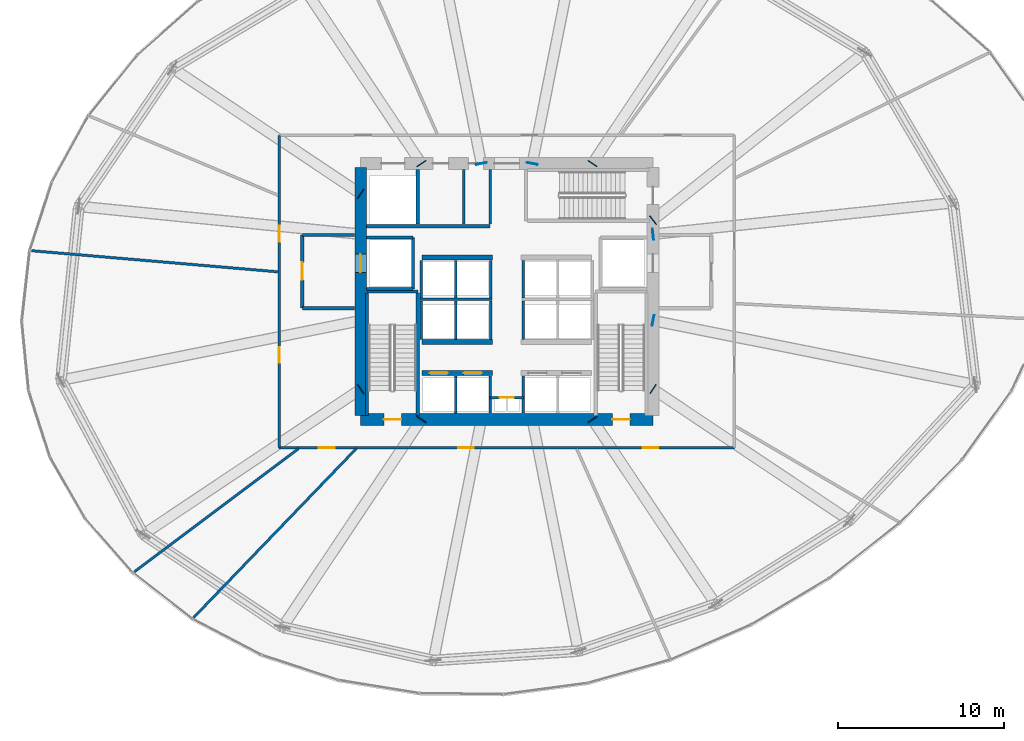
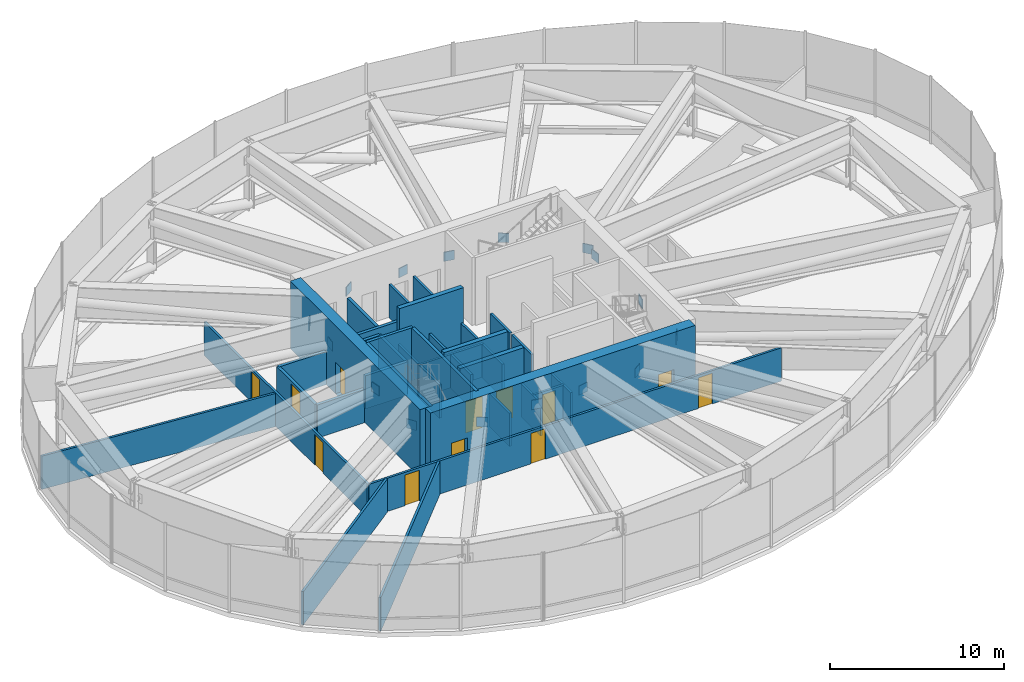
# One storey, part 30 of 33: 36 walls, 16 plates, 12 doors, 12 openings.
"""IFC4 building model written with IfcOpenShell, lengths in metres."""

import ifcopenshell
import ifcopenshell.guid

model = None  # the IFC model being written
_history = None  # IfcOwnerHistory: only IFC2X3 demands one
_inside = {}  # id of a spatial element -> (the spatial element, [elements in it])
_under = {}  # id of a project, library or spatial element -> (it, [spatial elements below it])
_declared = {}  # id of a project -> (the project, [libraries it declares])
_typed = {}  # id of a type object -> (the type object, [elements of that type])
_made_of = {}  # id of a material, layer set ... -> (it, [elements and type objects made of it])


def new_model(schema):
    """Start an empty IFC model of exactly this schema.

    Asked for "IFC4X3", IfcOpenShell would pick the latest addendum, in which some entities
    have other attributes; the version numbers below select the first issue.
    IFC2X3 requires an IfcOwnerHistory on every rooted entity: one is made here for all.
    """
    global model, _history
    if schema == "IFC4X3":
        model = ifcopenshell.file(schema_version=(4, 3, 0, 0))
    else:
        model = ifcopenshell.file(schema=schema)
    _inside.clear()
    _under.clear()
    _declared.clear()
    _typed.clear()
    _made_of.clear()
    _history = None
    if model.schema == "IFC2X3":
        org = make("IfcOrganization", Name="unknown")
        user = make(
            "IfcPersonAndOrganization",
            ThePerson=make("IfcPerson", FamilyName="unknown"),
            TheOrganization=org,
        )
        app = make(
            "IfcApplication",
            ApplicationDeveloper=org,
            Version="unknown",
            ApplicationFullName="unknown",
            ApplicationIdentifier="unknown",
        )
        _history = make(
            "IfcOwnerHistory",
            OwningUser=user,
            OwningApplication=app,
            ChangeAction="ADDED",
            CreationDate=0,
        )
    return model


def make(cls, **values):
    """One entity of the class cls with the attributes given. An attribute that is None is left unset."""
    return model.create_entity(
        cls, **{name: value for name, value in values.items() if value is not None}
    )


def rooted(cls, **values):
    """An entity with a GlobalId (a new one), such as an element, a storey or a relation."""
    return make(cls, GlobalId=ifcopenshell.guid.new(), OwnerHistory=_history, **values)


def si_unit(unit_type, name, prefix=None):
    """IfcSIUnit, for example si_unit("LENGTHUNIT", "METRE", prefix="MILLI")."""
    return make("IfcSIUnit", UnitType=unit_type, Prefix=prefix, Name=name)


def assignment(units):
    """IfcUnitAssignment: the units of a project."""
    return None if units is None else make("IfcUnitAssignment", Units=units)


def point(xyz):
    """IfcCartesianPoint."""
    return None if xyz is None else make("IfcCartesianPoint", Coordinates=xyz)


def direction(xyz):
    """IfcDirection."""
    return None if xyz is None else make("IfcDirection", DirectionRatios=xyz)


def frame(location, z_axis=None, x_axis=None):
    """IfcAxis2Placement3D, a coordinate frame: its origin and axes. An axis left out is left unset."""
    return make(
        "IfcAxis2Placement3D",
        Location=point(location),
        Axis=direction(z_axis),
        RefDirection=direction(x_axis),
    )


def frame_2d(location, x_axis=None):
    """IfcAxis2Placement2D, a coordinate frame in the plane: its origin and x axis."""
    return make(
        "IfcAxis2Placement2D", Location=point(location), RefDirection=direction(x_axis)
    )


def origin():
    """The frame at (0, 0, 0) with its axes left unset."""
    return frame((0.0, 0.0, 0.0))


def origin_2d():
    """The frame at (0, 0) in the plane with its x axis left unset."""
    return frame_2d((0.0, 0.0))


def place(relative_to, where):
    """IfcLocalPlacement: puts the frame where relative to a parent placement (None: the world)."""
    return make(
        "IfcLocalPlacement", PlacementRelTo=relative_to, RelativePlacement=where
    )


def context(
    kind, dimensions, precision=None, world=None, true_north=None, identifier=None
):
    """IfcGeometricRepresentationContext, for example the 3D "Model" context."""
    return make(
        "IfcGeometricRepresentationContext",
        ContextIdentifier=identifier,
        ContextType=kind,
        CoordinateSpaceDimension=dimensions,
        Precision=precision,
        WorldCoordinateSystem=world,
        TrueNorth=true_north,
    )


def subcontext(parent, identifier, kind, view, scale=None):
    """IfcGeometricRepresentationSubContext, for example "Body" below "Model"."""
    return make(
        "IfcGeometricRepresentationSubContext",
        ContextIdentifier=identifier,
        ContextType=kind,
        ParentContext=parent,
        TargetScale=scale,
        TargetView=view,
    )


def project(units=None, contexts=None):
    """IfcProject with its units and contexts."""
    return rooted(
        "IfcProject",
        Name="project",
        RepresentationContexts=contexts,
        UnitsInContext=assignment(units),
    )


def spatial(cls, under=None, at=None, **own):
    """A site, building, storey or space (cls), placed at a placement, below another one or the project."""
    s = rooted(cls, ObjectPlacement=at, **own)
    if under is not None:
        _under.setdefault(under.id(), (under, []))[1].append(s)
    return s


def profile(cls, at=None, kind="AREA", **sizes):
    """A parametric profile (cls). Its sizes go by their IFC names, for example OverallWidth=200.0."""
    return make(cls, ProfileType=kind, Position=at, **sizes)


def rectangle(**sizes):
    """IfcRectangleProfileDef."""
    return profile("IfcRectangleProfileDef", **sizes)


def extrude(swept, where, along, depth):
    """IfcExtrudedAreaSolid: the profile swept, set in the frame where, extruded along a direction by depth."""
    return make(
        "IfcExtrudedAreaSolid",
        SweptArea=swept,
        Position=where,
        ExtrudedDirection=direction(along),
        Depth=depth,
    )


def shape(context_of_items, identifier, shape_type, items):
    """IfcShapeRepresentation: the items that make up one representation, for example the "Body"."""
    return make(
        "IfcShapeRepresentation",
        ContextOfItems=context_of_items,
        RepresentationIdentifier=identifier,
        RepresentationType=shape_type,
        Items=items,
    )


def source(mapping_origin, context_of_items, identifier, shape_type, items):
    """IfcRepresentationMap: a shape defined once, which mapped items show again and again."""
    return make(
        "IfcRepresentationMap",
        MappingOrigin=mapping_origin,
        MappedRepresentation=shape(context_of_items, identifier, shape_type, items),
    )


def transform(
    local_origin,
    x_axis=None,
    y_axis=None,
    z_axis=None,
    scale=None,
    scale2=None,
    scale3=None,
    uniform=True,
):
    """IfcCartesianTransformationOperator3D, or its non-uniform kind. x_axis, y_axis, z_axis: its Axis1, 2, 3."""
    if uniform:
        return make(
            "IfcCartesianTransformationOperator3D",
            Axis1=direction(x_axis),
            Axis2=direction(y_axis),
            LocalOrigin=point(local_origin),
            Scale=scale,
            Axis3=direction(z_axis),
        )
    return make(
        "IfcCartesianTransformationOperator3DnonUniform",
        Axis1=direction(x_axis),
        Axis2=direction(y_axis),
        LocalOrigin=point(local_origin),
        Scale=scale,
        Axis3=direction(z_axis),
        Scale2=scale2,
        Scale3=scale3,
    )


def mapped(mapping_source, mapping_target):
    """IfcMappedItem: shows the shape of a source again, moved by a transform."""
    return make(
        "IfcMappedItem", MappingSource=mapping_source, MappingTarget=mapping_target
    )


def material(Name=None, Category=None):
    """IfcMaterial."""
    return make("IfcMaterial", Name=Name, Category=Category)


def layer(
    of_material, thickness, ventilated=None, Name=None, Category=None, Priority=None
):
    """IfcMaterialLayer: one layer of a wall or slab, of a material (None: an air gap)."""
    return make(
        "IfcMaterialLayer",
        Material=of_material,
        LayerThickness=thickness,
        IsVentilated=ventilated,
        Name=Name,
        Category=Category,
        Priority=Priority,
    )


def layer_set(layers, Name=None):
    """IfcMaterialLayerSet."""
    return make("IfcMaterialLayerSet", MaterialLayers=layers, LayerSetName=Name)


def made_of(thing, what):
    """Note that an element or type object is made of a material, layer set ...; save() writes the relation."""
    if what is not None:
        _made_of.setdefault(what.id(), (what, []))[1].append(thing)
    return thing


def type_object(cls, material=None, **own):
    """A type object (cls), such as IfcWallType, which elements share."""
    return made_of(rooted(cls, **own), material)


def element(
    cls,
    number,
    at=None,
    inside=None,
    cuts=None,
    type_object=None,
    material=None,
    context=None,
    identifier="Body",
    shape_type=None,
    held_by="IfcProductDefinitionShape",
    body=None,
    shapes=None,
    **own,
):
    """One element of the class cls, such as IfcWall. Its Tag is "e" and its number.

    at: its placement. inside: the storey or other place that contains it. cuts: it is an
    opening in that element (IfcRelVoidsElement). A single representation is given by context,
    identifier, shape_type and body (its items); several are given by shapes. held_by: the class
    of the entity that holds the representations. save() writes the other relations.
    """
    e = rooted(cls, Tag="e%d" % number, ObjectPlacement=at, **own)
    if body is not None:
        shapes = [shape(context, identifier, shape_type, body)]
    if shapes is not None:
        e.Representation = make(held_by, Representations=shapes)
    if inside is not None:
        _inside.setdefault(inside.id(), (inside, []))[1].append(e)
    if cuts is not None:
        rooted(
            "IfcRelVoidsElement", RelatingBuildingElement=cuts, RelatedOpeningElement=e
        )
    if type_object is not None:
        _typed.setdefault(type_object.id(), (type_object, []))[1].append(e)
    return made_of(e, material)


def fill(opening, filler):
    """IfcRelFillsElement: the door or window that sits in an opening."""
    return rooted(
        "IfcRelFillsElement",
        RelatingOpeningElement=opening,
        RelatedBuildingElement=filler,
    )


def aggregate(whole, parts):
    """IfcRelAggregates: a whole, such as a stair, and the parts it consists of."""
    return rooted("IfcRelAggregates", RelatingObject=whole, RelatedObjects=parts)


def save(model, path):
    """Write the relations noted so far, then the file.

    IfcRelAggregates (storeys below a building ...), IfcRelContainedInSpatialStructure (elements
    in a storey), IfcRelDefinesByType, IfcRelAssociatesMaterial and IfcRelDeclares: one each for
    every whole, place, type object, material and project.
    """
    for whole, parts in _under.values():
        aggregate(whole, parts)
    for where, things in _inside.values():
        rooted(
            "IfcRelContainedInSpatialStructure",
            RelatedElements=things,
            RelatingStructure=where,
        )
    for kind, things in _typed.values():
        rooted("IfcRelDefinesByType", RelatedObjects=things, RelatingType=kind)
    for what, things in _made_of.values():
        rooted("IfcRelAssociatesMaterial", RelatedObjects=things, RelatingMaterial=what)
    for by, libraries in _declared.values():
        rooted("IfcRelDeclares", RelatingContext=by, RelatedDefinitions=libraries)
    model.write(path)


model = new_model("IFC4")

# Units and contexts
model_context = context("Model", 3, precision=1e-05, world=origin(), true_north=direction((0.0, 1.0)))
body_context = subcontext(model_context, "Body", "Model", "MODEL_VIEW")
ifc_project = project(units=[si_unit("LENGTHUNIT", "METRE"), si_unit("AREAUNIT", "SQUARE_METRE"), si_unit("VOLUMEUNIT", "CUBIC_METRE"), si_unit("PLANEANGLEUNIT", "RADIAN"), si_unit("MASSUNIT", "GRAM", prefix="KILO"), si_unit("THERMODYNAMICTEMPERATUREUNIT", "KELVIN")], contexts=[model_context])

# Site, building, storey
site_placement = place(None, origin())
site = spatial("IfcSite", under=ifc_project, at=site_placement, CompositionType="ELEMENT")
building_placement = place(site_placement, origin())
building = spatial("IfcBuilding", under=site, at=building_placement, Name="Kethvar Cultural Tower", CompositionType="ELEMENT")
storey_placement = place(building_placement, frame((0.0, 0.0, 80.39990234375)))
storey = spatial("IfcBuildingStorey", under=building, at=storey_placement, Name="L19", CompositionType="ELEMENT", Elevation=80.39990234375)

# Plates
ifc_material_1 = material(Name="Steel S460M", Category="steel")
ifc_layer_1 = layer(ifc_material_1, 0.054931640625, Name="Steel S460M", Category="steel")
ifc_layer_set_1 = layer_set([ifc_layer_1], Name="Steel S460M (55 mm)")
plate_type = type_object("IfcPlateType", Name="PL-EMBED-CORE", PredefinedType="SHEET", material=ifc_layer_set_1)
shared_shape_1 = source(origin(), body_context, "Body", "SweptSolid", [
    extrude(rectangle(XDim=0.054931640625, YDim=0.64990234375, at=origin_2d()), origin(), (0.0, 0.0, 1.0), 0.64990234375),
])
for number, where, z_axis, x_axis, name in (
    (1, (55.60009765625, 31.25, 2.3251953125), (0.0, 0.0, 1.0), (0.994558322095, 0.104181303275, 0.0), "L19 Outrigger Core Wall Cast-In Embed Plate EP-01"),
    (2, (55.60009765625, 32.10009765625, 2.3251953125), (0.0, 0.0, 1.0), (0.783801856128, 0.621010990507, 0.0), "L19 Outrigger Core Wall Cast-In Embed Plate EP-02"),
    (3, (51.945068359375, 35.5, 2.3251953125), (0.0, 0.0, 1.0), (0.55557023302, 0.831469612303, 0.0), "L19 Outrigger Core Wall Cast-In Embed Plate EP-03"),
    (4, (48.33154296875, 35.5, 2.3251953125), (0.0, 0.0, 1.0), (0.195090322016, 0.980785280403, 0.0), "L19 Outrigger Core Wall Cast-In Embed Plate EP-04"),
    (5, (45.268310546875, 35.5, 2.3251953125), (0.0, 0.0, 1.0), (-0.195090322016, 0.980785280403, 0.0), "L19 Outrigger Core Wall Cast-In Embed Plate EP-05"),
    (6, (41.655029296875, 35.5, 2.3251953125), (0.0, 0.0, 1.0), (-0.55557023302, 0.831469612303, 0.0), "L19 Outrigger Core Wall Cast-In Embed Plate EP-06"),
    (7, (38.0, 33.679931640625, 2.3251953125), (0.0, 0.0, 1.0), (-0.831469612303, 0.55557023302, 0.0), "L19 Outrigger Core Wall Cast-In Embed Plate EP-07"),
    (8, (38.0, 31.25, 2.3251953125), (0.0, 0.0, 1.0), (-0.995176169274, 0.098103986207, 0.0), "L19 Outrigger Core Wall Cast-In Embed Plate EP-08"),
    (9, (38.0, 26.049560546875, 2.3251953125), (0.0, 0.0, 1.0), (-0.980785280403, -0.195090322016, 0.0), "L19 Outrigger Core Wall Cast-In Embed Plate EP-09"),
    (10, (38.0, 21.919921875, 2.3251953125), (0.0, 0.0, 1.0), (-0.831469612303, -0.55557023302, 0.0), "L19 Outrigger Core Wall Cast-In Embed Plate EP-10"),
    (11, (41.655029296875, 20.10009765625, 2.3251953125), (0.0, 0.0, 1.0), (-0.55557023302, -0.831469612303, 0.0), "L19 Outrigger Core Wall Cast-In Embed Plate EP-11"),
    (12, (45.268310546875, 20.10009765625, 2.3251953125), (0.0, 0.0, 1.0), (-0.195090322016, -0.980785280403, 0.0), "L19 Outrigger Core Wall Cast-In Embed Plate EP-12"),
    (13, (48.33154296875, 20.10009765625, 2.3251953125), (0.0, 0.0, 1.0), (0.195090322016, -0.980785280403, 0.0), "L19 Outrigger Core Wall Cast-In Embed Plate EP-13"),
    (14, (51.945068359375, 20.10009765625, 2.3251953125), (0.0, 0.0, 1.0), (0.55557023302, -0.831469612303, 0.0), "L19 Outrigger Core Wall Cast-In Embed Plate EP-14"),
    (15, (55.60009765625, 21.920166015625, 2.3251953125), (0.0, 0.0, 1.0), (0.831469612303, -0.55557023302, 0.0), "L19 Outrigger Core Wall Cast-In Embed Plate EP-15"),
    (16, (55.60009765625, 26.049560546875, 2.3251953125), (0.0, 0.0, 1.0), (0.980785280403, -0.195090322016, 0.0), "L19 Outrigger Core Wall Cast-In Embed Plate EP-16"),
):
    element("IfcPlate", number, at=place(storey_placement, frame(where, z_axis=z_axis, x_axis=x_axis)), inside=storey, type_object=plate_type, Name=name, PredefinedType="SHEET", context=body_context, shape_type="MappedRepresentation", body=[
        mapped(shared_shape_1, transform((0.0, 0.0, 0.0), scale=1.0)),
    ])

# Wall, openings, doors
ifc_material_2 = material(Name="Concrete C60/75", Category="concrete")
ifc_layer_2 = layer(ifc_material_2, 0.699951171875, Name="Concrete C60/75", Category="concrete")
ifc_layer_set_2 = layer_set([ifc_layer_2], Name="Concrete C60/75 (700 mm)")
wall_type_1 = type_object("IfcWallType", Name="WL-CORE-700", PredefinedType="SHEAR", material=ifc_layer_set_2)
wall_1_placement = place(storey_placement, frame((38.0, 20.10009765625, 0.0), z_axis=(0.0, 0.0, 1.0), x_axis=(1.0, 0.0, 0.0)))
wall_1 = element("IfcWall", 17, at=wall_1_placement, inside=storey, type_object=wall_type_1, Name="L19 Core Shear Wall S", PredefinedType="SHEAR", context=body_context, shape_type="SweptSolid", body=[
    extrude(rectangle(XDim=17.60009765625, YDim=0.699951171875, at=frame_2d((8.800048828125, 0.0))), origin(), (0.0, 0.0, 1.0), 4.760009765625),
])
opening_1_placement = place(wall_1_placement, frame((1.39990234375, 0.0, 0.0)))
opening_1 = element("IfcOpeningElement", 18, at=opening_1_placement, cuts=wall_1, Name="Opening D-L19-S1", PredefinedType="OPENING", context=body_context, shape_type="SweptSolid", body=[
    extrude(rectangle(XDim=1.050048828125, YDim=2.14990234375, at=frame_2d((0.52490234375, 1.074951171875))), frame((0.0, 0.35986328125, 0.0), z_axis=(0.0, -1.0, 0.0), x_axis=(1.0, 0.0, 0.0)), (0.0, 0.0, 1.0), 0.719970703125),
])
opening_2_placement = place(wall_1_placement, frame((15.14990234375, 0.0, 0.0)))
opening_2 = element("IfcOpeningElement", 19, at=opening_2_placement, cuts=wall_1, Name="Opening D-L19-ST2", PredefinedType="OPENING", context=body_context, shape_type="SweptSolid", body=[
    extrude(rectangle(XDim=1.050048828125, YDim=2.14990234375, at=frame_2d((0.52490234375, 1.074951171875))), frame((0.0, 0.35986328125, 0.0), z_axis=(0.0, -1.0, 0.0), x_axis=(1.0, 0.0, 0.0)), (0.0, 0.0, 1.0), 0.719970703125),
])
ifc_material_3 = material(Name="Steel S355J2", Category="steel")
door_type_1 = type_object("IfcDoorType", Name="DR-FD60-1050", OperationType="NOTDEFINED", PredefinedType="DOOR", material=ifc_material_3)
shared_shape_2 = source(origin(), body_context, "Body", "SweptSolid", [
    extrude(rectangle(XDim=1.050048828125, YDim=2.14990234375, at=frame_2d((0.52490234375, 1.074951171875))), frame((0.0, 0.02490234375, 0.0), z_axis=(0.0, -1.0, 0.0), x_axis=(1.0, 0.0, 0.0)), (0.0, 0.0, 1.0), 0.050048828125),
])
door_1_placement = place(opening_1_placement, origin())
door_1 = element("IfcDoor", 20, at=door_1_placement, inside=storey, type_object=door_type_1, Name="L19 Exit Stair 1 Door", OperationType="SINGLE_SWING_LEFT", OverallHeight=2.14990234375, OverallWidth=1.050048828125, PredefinedType="DOOR", context=body_context, shape_type="MappedRepresentation", body=[
    mapped(shared_shape_2, transform((0.0, 0.0, 0.0), scale=1.0)),
])
fill(opening_1, door_1)
door_2_placement = place(opening_2_placement, origin())
door_2 = element("IfcDoor", 21, at=door_2_placement, inside=storey, type_object=door_type_1, Name="L19 Exit Stair 2 Door", OperationType="SINGLE_SWING_RIGHT", OverallHeight=2.14990234375, OverallWidth=1.050048828125, PredefinedType="DOOR", context=body_context, shape_type="MappedRepresentation", body=[
    mapped(shared_shape_2, transform((0.0, 0.0, 0.0), scale=1.0)),
])
fill(opening_2, door_2)

# Wall, opening, door
wall_2_placement = place(storey_placement, frame((38.0, 35.260009765625, 0.0), z_axis=(0.0, 0.0, 1.0), x_axis=(0.0, -1.0, 0.0)))
wall_2 = element("IfcWall", 22, at=wall_2_placement, inside=storey, type_object=wall_type_1, Name="L19 Core Shear Wall W", PredefinedType="SHEAR", context=body_context, shape_type="SweptSolid", body=[
    extrude(rectangle(XDim=14.919921875, YDim=0.699951171875, at=frame_2d((7.4599609375, 0.0))), origin(), (0.0, 0.0, 1.0), 4.760009765625),
])
opening_3_placement = place(wall_2_placement, frame((5.2099609375, 0.0, 0.0)))
opening_3 = element("IfcOpeningElement", 23, at=opening_3_placement, cuts=wall_2, Name="Opening LD-1", PredefinedType="OPENING", context=body_context, shape_type="SweptSolid", body=[
    extrude(rectangle(XDim=1.10009765625, YDim=2.199951171875, at=frame_2d((0.550048828125, 1.10009765625))), frame((0.0, 0.35986328125, 0.0), z_axis=(0.0, -1.0, 0.0), x_axis=(1.0, 0.0, 0.0)), (0.0, 0.0, 1.0), 0.719970703125),
])
door_type_2 = type_object("IfcDoorType", Name="DR-LIFT-SLIDE-1100", OperationType="NOTDEFINED", PredefinedType="DOOR", material=ifc_material_3)
shared_shape_3 = source(origin(), body_context, "Body", "SweptSolid", [
    extrude(rectangle(XDim=1.10009765625, YDim=2.199951171875, at=frame_2d((0.550048828125, 1.10009765625))), frame((0.0, 0.02490234375, 0.0), z_axis=(0.0, -1.0, 0.0), x_axis=(1.0, 0.0, 0.0)), (0.0, 0.0, 1.0), 0.050048828125),
])
door_3_placement = place(opening_3_placement, origin())
door_3 = element("IfcDoor", 24, at=door_3_placement, inside=storey, type_object=door_type_2, Name="L19 Firefighting Lift Landing Door FFL-01", OperationType="SLIDING_TO_LEFT", OverallHeight=2.199951171875, OverallWidth=1.10009765625, PredefinedType="DOOR", context=body_context, shape_type="MappedRepresentation", body=[
    mapped(shared_shape_3, transform((0.0, 0.0, 0.0), scale=1.0)),
])
fill(opening_3, door_3)

ifc_material_4 = material(Name="Gypsum Fireboard Partition")
ifc_layer_3 = layer(ifc_material_4, 0.14990234375, Name="Gypsum Fireboard Partition")
ifc_layer_set_3 = layer_set([ifc_layer_3], Name="Gypsum Fireboard Partition (150 mm)")
wall_type_2 = type_object("IfcWallType", Name="WL-FIRE-150", PredefinedType="PARTITIONING", material=ifc_layer_set_3)
wall_3_placement = place(storey_placement, frame((45.800048828125, 21.419921875, 0.0), z_axis=(0.0, 0.0, 1.0), x_axis=(1.0, 0.0, 0.0)))
wall_3 = element("IfcWall", 25, at=wall_3_placement, inside=storey, type_object=wall_type_2, Name="L19 Core Riser Wall", PredefinedType="PARTITIONING", context=body_context, shape_type="SweptSolid", body=[
    extrude(rectangle(XDim=2.0, YDim=0.14990234375, at=frame_2d((1.0, 0.0))), origin(), (0.0, 0.0, 1.0), 2.335205078125),
])
opening_4_placement = place(wall_3_placement, frame((0.574951171875, 0.0, 0.0)))
opening_4 = element("IfcOpeningElement", 26, at=opening_4_placement, cuts=wall_3, Name="Opening D-L19-RS", PredefinedType="OPENING", context=body_context, shape_type="SweptSolid", body=[
    extrude(rectangle(XDim=0.85009765625, YDim=2.14990234375, at=frame_2d((0.425048828125, 1.074951171875))), frame((0.0, 0.0849609375, 0.0), z_axis=(0.0, -1.0, 0.0), x_axis=(1.0, 0.0, 0.0)), (0.0, 0.0, 1.0), 0.169921875),
])
door_type_3 = type_object("IfcDoorType", Name="DR-FD30-850", OperationType="NOTDEFINED", PredefinedType="DOOR", material=ifc_material_3)
shared_shape_4 = source(origin(), body_context, "Body", "SweptSolid", [
    extrude(rectangle(XDim=0.85009765625, YDim=2.14990234375, at=frame_2d((0.425048828125, 1.074951171875))), frame((0.0, 0.02490234375, 0.0), z_axis=(0.0, -1.0, 0.0), x_axis=(1.0, 0.0, 0.0)), (0.0, 0.0, 1.0), 0.050048828125),
])
door_4_placement = place(opening_4_placement, origin())
door_4 = element("IfcDoor", 27, at=door_4_placement, inside=storey, type_object=door_type_3, Name="L19 Service Riser Access Door", OperationType="SINGLE_SWING_LEFT", OverallHeight=2.14990234375, OverallWidth=0.85009765625, PredefinedType="DOOR", context=body_context, shape_type="MappedRepresentation", body=[
    mapped(shared_shape_4, transform((0.0, 0.0, 0.0), scale=1.0)),
])
fill(opening_4, door_4)

# Walls
for number, where, z_axis, x_axis, name in (
    (28, (45.800048828125, 20.47998046875, 0.0), (0.0, 0.0, 1.0), (0.0, 1.0, 0.0), "L19 Core Riser West Wall"),
    (29, (47.800048828125, 20.47998046875, 0.0), (0.0, 0.0, 1.0), (0.0, 1.0, 0.0), "L19 Core Riser East Wall"),
):
    element("IfcWall", number, at=place(storey_placement, frame(where, z_axis=z_axis, x_axis=x_axis)), inside=storey, type_object=wall_type_2, Name=name, PredefinedType="PARTITIONING", context=body_context, shape_type="SweptSolid", body=[
        extrude(rectangle(XDim=2.239990234375, YDim=0.14990234375, at=frame_2d((1.1201171875, 0.0))), origin(), (0.0, 0.0, 1.0), 2.335205078125),
    ])
wall_4_placement = place(storey_placement, frame((43.72509765625, 20.4599609375, 0.0), z_axis=(0.0, 0.0, 1.0), x_axis=(0.0, 1.0, 0.0)))
element("IfcWall", 30, at=wall_4_placement, inside=storey, type_object=wall_type_2, Name="L19 Low-Rise Lift Shaft Divider W", PredefinedType="PARTITIONING", context=body_context, shape_type="SweptSolid", body=[
    extrude(rectangle(XDim=2.27001953125, YDim=0.14990234375, at=frame_2d((1.135009765625, 0.0))), origin(), (0.0, 0.0, 1.0), 2.335205078125),
])
wall_5_placement = place(storey_placement, frame((41.580078125, 27.324951171875, 0.0), z_axis=(0.0, 0.0, 1.0), x_axis=(1.0, 0.0, 0.0)))
element("IfcWall", 31, at=wall_5_placement, inside=storey, type_object=wall_type_2, Name="L19 Mid-High Lift Shaft Back Wall W", PredefinedType="PARTITIONING", context=body_context, shape_type="SweptSolid", body=[
    extrude(rectangle(XDim=4.31982421875, YDim=0.14990234375, at=frame_2d((2.159912109375, 0.0))), origin(), (0.0, 0.0, 1.0), 2.335205078125),
])
for number, where, z_axis, x_axis, name in (
    (32, (41.64990234375, 24.919921875, 0.0), (0.0, 0.0, 1.0), (0.0, 1.0, 0.0), "L19 Mid-Rise Lift Shaft Outer Wall W"),
    (33, (43.72509765625, 24.919921875, 0.0), (0.0, 0.0, 1.0), (0.0, 1.0, 0.0), "L19 Mid-Rise Lift Shaft Divider W"),
    (34, (45.824951171875, 24.919921875, 0.0), (0.0, 0.0, 1.0), (0.0, 1.0, 0.0), "L19 Mid-Rise Lift Shaft Concourse Wall W"),
    (35, (47.77490234375, 24.919921875, 0.0), (0.0, 0.0, 1.0), (0.0, 1.0, 0.0), "L19 Mid-Rise Lift Shaft Concourse Wall E"),
):
    element("IfcWall", number, at=place(storey_placement, frame(where, z_axis=z_axis, x_axis=x_axis)), inside=storey, type_object=wall_type_2, Name=name, PredefinedType="PARTITIONING", context=body_context, shape_type="SweptSolid", body=[
        extrude(rectangle(XDim=2.320068359375, YDim=0.14990234375, at=frame_2d((1.16015625, 0.0))), origin(), (0.0, 0.0, 1.0), 2.335205078125),
    ])
for number, where, z_axis, x_axis, name in (
    (36, (41.64990234375, 27.409912109375, 0.0), (0.0, 0.0, 1.0), (0.0, 1.0, 0.0), "L19 High-Rise Lift Shaft Outer Wall W"),
    (37, (43.72509765625, 27.409912109375, 0.0), (0.0, 0.0, 1.0), (0.0, 1.0, 0.0), "L19 High-Rise Lift Shaft Divider W"),
    (38, (45.824951171875, 27.409912109375, 0.0), (0.0, 0.0, 1.0), (0.0, 1.0, 0.0), "L19 High-Rise Lift Shaft Concourse Wall W"),
    (39, (47.77490234375, 27.409912109375, 0.0), (0.0, 0.0, 1.0), (0.0, 1.0, 0.0), "L19 High-Rise Lift Shaft Concourse Wall E"),
):
    element("IfcWall", number, at=place(storey_placement, frame(where, z_axis=z_axis, x_axis=x_axis)), inside=storey, type_object=wall_type_2, Name=name, PredefinedType="PARTITIONING", context=body_context, shape_type="SweptSolid", body=[
        extrude(rectangle(XDim=2.27001953125, YDim=0.14990234375, at=frame_2d((1.135009765625, 0.0))), origin(), (0.0, 0.0, 1.0), 2.335205078125),
    ])
wall_6_placement = place(storey_placement, frame((45.800048828125, 31.85009765625, 0.0), z_axis=(0.0, 0.0, 1.0), x_axis=(0.0, 1.0, 0.0)))
element("IfcWall", 40, at=wall_6_placement, inside=storey, type_object=wall_type_2, Name="L19 Sanitary Spine Wall", PredefinedType="PARTITIONING", context=body_context, shape_type="SweptSolid", body=[
    extrude(rectangle(XDim=3.289794921875, YDim=0.14990234375, at=frame_2d((1.64501953125, 0.0))), origin(), (0.0, 0.0, 1.0), 2.335205078125),
])

# Wall, openings, doors
wall_7_placement = place(storey_placement, frame((33.10009765625, 18.39990234375, 0.0), z_axis=(0.0, 0.0, 1.0), x_axis=(1.0, 0.0, 0.0)))
wall_7 = element("IfcWall", 41, at=wall_7_placement, inside=storey, type_object=wall_type_2, Name="L19 Corridor Rated Wall S", PredefinedType="PARTITIONING", context=body_context, shape_type="SweptSolid", body=[
    extrude(rectangle(XDim=27.39990234375, YDim=0.14990234375, at=frame_2d((13.699951171875, 0.0))), origin(), (0.0, 0.0, 1.0), 2.335205078125),
])
opening_5_placement = place(wall_7_placement, frame((2.398193359375, 0.0, 0.0)))
opening_5 = element("IfcOpeningElement", 42, at=opening_5_placement, cuts=wall_7, Name="Opening D-L19-01", PredefinedType="OPENING", context=body_context, shape_type="SweptSolid", body=[
    extrude(rectangle(XDim=0.949951171875, YDim=2.14990234375, at=frame_2d((0.47509765625, 1.074951171875))), frame((0.0, 0.0849609375, 0.0), z_axis=(0.0, -1.0, 0.0), x_axis=(1.0, 0.0, 0.0)), (0.0, 0.0, 1.0), 0.169921875),
])
opening_6_placement = place(wall_7_placement, frame((10.77001953125, 0.0, 0.0)))
opening_6 = element("IfcOpeningElement", 43, at=opening_6_placement, cuts=wall_7, Name="Opening D-L19-02", PredefinedType="OPENING", context=body_context, shape_type="SweptSolid", body=[
    extrude(rectangle(XDim=0.949951171875, YDim=2.14990234375, at=frame_2d((0.47509765625, 1.074951171875))), frame((0.0, 0.0849609375, 0.0), z_axis=(0.0, -1.0, 0.0), x_axis=(1.0, 0.0, 0.0)), (0.0, 0.0, 1.0), 0.169921875),
])
opening_7_placement = place(wall_7_placement, frame((21.87451171875, 0.0, 0.0)))
opening_7 = element("IfcOpeningElement", 44, at=opening_7_placement, cuts=wall_7, Name="Opening D-L19-03", PredefinedType="OPENING", context=body_context, shape_type="SweptSolid", body=[
    extrude(rectangle(XDim=0.949951171875, YDim=2.14990234375, at=frame_2d((0.47509765625, 1.074951171875))), frame((0.0, 0.0849609375, 0.0), z_axis=(0.0, -1.0, 0.0), x_axis=(1.0, 0.0, 0.0)), (0.0, 0.0, 1.0), 0.169921875),
])
ifc_material_5 = material(Name="Architectural Oak Timber", Category="wood")
door_type_4 = type_object("IfcDoorType", Name="DR-FD30-950", OperationType="NOTDEFINED", PredefinedType="DOOR", material=ifc_material_5)
shared_shape_5 = source(origin(), body_context, "Body", "SweptSolid", [
    extrude(rectangle(XDim=0.949951171875, YDim=2.14990234375, at=frame_2d((0.47509765625, 1.074951171875))), frame((0.0, 0.02490234375, 0.0), z_axis=(0.0, -1.0, 0.0), x_axis=(1.0, 0.0, 0.0)), (0.0, 0.0, 1.0), 0.050048828125),
])
door_5_placement = place(opening_5_placement, origin())
door_5 = element("IfcDoor", 45, at=door_5_placement, inside=storey, type_object=door_type_4, Name="L19 Pressurised Refuge Area West 01 Door", OperationType="SINGLE_SWING_RIGHT", OverallHeight=2.14990234375, OverallWidth=0.949951171875, PredefinedType="DOOR", context=body_context, shape_type="MappedRepresentation", body=[
    mapped(shared_shape_5, transform((0.0, 0.0, 0.0), scale=1.0)),
])
fill(opening_5, door_5)
door_6_placement = place(opening_6_placement, origin())
door_6 = element("IfcDoor", 46, at=door_6_placement, inside=storey, type_object=door_type_4, Name="L19 Pressurised Refuge Area East 02 Door", OperationType="SINGLE_SWING_LEFT", OverallHeight=2.14990234375, OverallWidth=0.949951171875, PredefinedType="DOOR", context=body_context, shape_type="MappedRepresentation", body=[
    mapped(shared_shape_5, transform((0.0, 0.0, 0.0), scale=1.0)),
])
fill(opening_6, door_6)
door_7_placement = place(opening_7_placement, origin())
door_7 = element("IfcDoor", 47, at=door_7_placement, inside=storey, type_object=door_type_4, Name="L19 Mechanical AHU Plant Room 03 Door", OperationType="SINGLE_SWING_RIGHT", OverallHeight=2.14990234375, OverallWidth=0.949951171875, PredefinedType="DOOR", context=body_context, shape_type="MappedRepresentation", body=[
    mapped(shared_shape_5, transform((0.0, 0.0, 0.0), scale=1.0)),
])
fill(opening_7, door_7)

wall_8_placement = place(storey_placement, frame((33.10009765625, 37.199951171875, 0.0), z_axis=(0.0, 0.0, 1.0), x_axis=(0.0, -1.0, 0.0)))
wall_8 = element("IfcWall", 48, at=wall_8_placement, inside=storey, type_object=wall_type_2, Name="L19 Corridor Rated Wall W", PredefinedType="PARTITIONING", context=body_context, shape_type="SweptSolid", body=[
    extrude(rectangle(XDim=18.800048828125, YDim=0.14990234375, at=frame_2d((9.39990234375, 0.0))), origin(), (0.0, 0.0, 1.0), 2.335205078125),
])
opening_8_placement = place(wall_8_placement, frame((5.44140625, 0.0, 0.0)))
opening_8 = element("IfcOpeningElement", 49, at=opening_8_placement, cuts=wall_8, Name="Opening D-L19-09", PredefinedType="OPENING", context=body_context, shape_type="SweptSolid", body=[
    extrude(rectangle(XDim=0.949951171875, YDim=2.14990234375, at=frame_2d((0.47509765625, 1.074951171875))), frame((0.0, 0.0849609375, 0.0), z_axis=(0.0, -1.0, 0.0), x_axis=(1.0, 0.0, 0.0)), (0.0, 0.0, 1.0), 0.169921875),
])
opening_9_placement = place(wall_8_placement, frame((12.74560546875, 0.0, 0.0)))
opening_9 = element("IfcOpeningElement", 50, at=opening_9_placement, cuts=wall_8, Name="Opening D-L19-10", PredefinedType="OPENING", context=body_context, shape_type="SweptSolid", body=[
    extrude(rectangle(XDim=0.949951171875, YDim=2.14990234375, at=frame_2d((0.47509765625, 1.074951171875))), frame((0.0, 0.0849609375, 0.0), z_axis=(0.0, -1.0, 0.0), x_axis=(1.0, 0.0, 0.0)), (0.0, 0.0, 1.0), 0.169921875),
])
door_8_placement = place(opening_8_placement, origin())
door_8 = element("IfcDoor", 51, at=door_8_placement, inside=storey, type_object=door_type_4, Name="L19 Domestic Booster Plant Room 09 Door", OperationType="SINGLE_SWING_RIGHT", OverallHeight=2.14990234375, OverallWidth=0.949951171875, PredefinedType="DOOR", context=body_context, shape_type="MappedRepresentation", body=[
    mapped(shared_shape_5, transform((0.0, 0.0, 0.0), scale=1.0)),
])
fill(opening_8, door_8)
door_9_placement = place(opening_9_placement, origin())
door_9 = element("IfcDoor", 52, at=door_9_placement, inside=storey, type_object=door_type_4, Name="L19 BMS Controls Plant Room 10 Door", OperationType="SINGLE_SWING_LEFT", OverallHeight=2.14990234375, OverallWidth=0.949951171875, PredefinedType="DOOR", context=body_context, shape_type="MappedRepresentation", body=[
    mapped(shared_shape_5, transform((0.0, 0.0, 0.0), scale=1.0)),
])
fill(opening_9, door_9)

# Walls
wall_9_placement = place(storey_placement, frame((34.2744140625, 18.35205078125, 0.0), z_axis=(0.0, 0.0, 1.0), x_axis=(-0.799838579298, -0.600215167308, 0.0)))
element("IfcWall", 53, at=wall_9_placement, inside=storey, type_object=wall_type_2, Name="L19 Radial Partition Wall 01", PredefinedType="PARTITIONING", context=body_context, shape_type="SweptSolid", body=[
    extrude(rectangle(XDim=12.34375, YDim=0.14990234375, at=frame_2d((6.171875, 0.0))), origin(), (0.0, 0.0, 1.0), 2.335205078125),
])
wall_10_placement = place(storey_placement, frame((37.737548828125, 18.34228515625, 0.0), z_axis=(0.0, 0.0, 1.0), x_axis=(-0.693541516042, -0.720416661055, 0.0)))
element("IfcWall", 54, at=wall_10_placement, inside=storey, type_object=wall_type_2, Name="L19 Radial Partition Wall 02", PredefinedType="PARTITIONING", context=body_context, shape_type="SweptSolid", body=[
    extrude(rectangle(XDim=14.098876953125, YDim=0.14990234375, at=frame_2d((7.04931640625, 0.0))), origin(), (0.0, 0.0, 1.0), 2.335205078125),
])
wall_11_placement = place(storey_placement, frame((33.020263671875, 28.984619140625, 0.0), z_axis=(0.0, 0.0, 1.0), x_axis=(-0.996342214826, 0.085452858087, 0.0)))
element("IfcWall", 55, at=wall_11_placement, inside=storey, type_object=wall_type_2, Name="L19 Radial Partition Wall 10", PredefinedType="PARTITIONING", context=body_context, shape_type="SweptSolid", body=[
    extrude(rectangle(XDim=14.8623046875, YDim=0.14990234375, at=frame_2d((7.43115234375, 0.0))), origin(), (0.0, 0.0, 1.0), 2.335205078125),
])
ifc_material_6 = material(Name="Concrete C40/50", Category="concrete")
ifc_layer_4 = layer(ifc_material_6, 0.199951171875, Name="Concrete C40/50", Category="concrete")
ifc_layer_set_4 = layer_set([ifc_layer_4], Name="Concrete C40/50 (200 mm)")
wall_type_3 = type_object("IfcWallType", Name="WL-FIRE-200", PredefinedType="PARTITIONING", material=ifc_layer_set_4)
wall_12_placement = place(storey_placement, frame((41.14990234375, 27.949951171875, 0.0), z_axis=(0.0, 0.0, 1.0), x_axis=(0.0, 1.0, 0.0)))
element("IfcWall", 56, at=wall_12_placement, inside=storey, type_object=wall_type_3, Name="L19 FFL-01 Shaft Inner Wall", PredefinedType="PARTITIONING", context=body_context, shape_type="SweptSolid", body=[
    extrude(rectangle(XDim=3.10009765625, YDim=0.199951171875, at=frame_2d((1.550048828125, 0.0))), origin(), (0.0, 0.0, 1.0), 2.335205078125),
])
for number, where, z_axis, x_axis, name in (
    (57, (38.360107421875, 27.949951171875, 0.0), (0.0, 0.0, 1.0), (1.0, 0.0, 0.0), "L19 FFL-01 Shaft South Wall"),
    (58, (38.360107421875, 31.050048828125, 0.0), (0.0, 0.0, 1.0), (1.0, 0.0, 0.0), "L19 FFL-01 Shaft North Wall"),
):
    element("IfcWall", number, at=place(storey_placement, frame(where, z_axis=z_axis, x_axis=x_axis)), inside=storey, type_object=wall_type_3, Name=name, PredefinedType="PARTITIONING", context=body_context, shape_type="SweptSolid", body=[
        extrude(rectangle(XDim=2.789794921875, YDim=0.199951171875, at=frame_2d((1.39501953125, 0.0))), origin(), (0.0, 0.0, 1.0), 2.335205078125),
    ])

# Wall, opening, door
wall_13_placement = place(storey_placement, frame((34.5, 31.199951171875, 0.0), z_axis=(0.0, 0.0, 1.0), x_axis=(0.0, -1.0, 0.0)))
wall_13 = element("IfcWall", 59, at=wall_13_placement, inside=storey, type_object=wall_type_3, Name="L19 Firefighting Lobby 1 Wall", PredefinedType="PARTITIONING", context=body_context, shape_type="SweptSolid", body=[
    extrude(rectangle(XDim=4.39990234375, YDim=0.199951171875, at=frame_2d((2.199951171875, 0.0))), origin(), (0.0, 0.0, 1.0), 2.335205078125),
])
opening_10_placement = place(wall_13_placement, frame((1.64990234375, 0.0, 0.0)))
opening_10 = element("IfcOpeningElement", 60, at=opening_10_placement, cuts=wall_13, Name="Opening D-L19-F1", PredefinedType="OPENING", context=body_context, shape_type="SweptSolid", body=[
    extrude(rectangle(XDim=1.050048828125, YDim=2.14990234375, at=frame_2d((0.52490234375, 1.074951171875))), frame((0.0, 0.10986328125, 0.0), z_axis=(0.0, -1.0, 0.0), x_axis=(1.0, 0.0, 0.0)), (0.0, 0.0, 1.0), 0.219970703125),
])
door_10_placement = place(opening_10_placement, origin())
door_10 = element("IfcDoor", 61, at=door_10_placement, inside=storey, type_object=door_type_1, Name="L19 Firefighting Lobby 1 Fire Door", OperationType="SINGLE_SWING_LEFT", OverallHeight=2.14990234375, OverallWidth=1.050048828125, PredefinedType="DOOR", context=body_context, shape_type="MappedRepresentation", body=[
    mapped(shared_shape_2, transform((0.0, 0.0, 0.0), scale=1.0)),
])
fill(opening_10, door_10)

# Walls
for number, where, z_axis, x_axis, name in (
    (62, (34.5, 26.800048828125, 0.0), (0.0, 0.0, 1.0), (1.0, 0.0, 0.0), "L19 FF Lobby 1 South Wall"),
    (63, (34.5, 31.199951171875, 0.0), (0.0, 0.0, 1.0), (1.0, 0.0, 0.0), "L19 FF Lobby 1 North Wall"),
):
    element("IfcWall", number, at=place(storey_placement, frame(where, z_axis=z_axis, x_axis=x_axis)), inside=storey, type_object=wall_type_3, Name=name, PredefinedType="PARTITIONING", context=body_context, shape_type="SweptSolid", body=[
        extrude(rectangle(XDim=3.139892578125, YDim=0.199951171875, at=frame_2d((1.56982421875, 0.0))), origin(), (0.0, 0.0, 1.0), 2.335205078125),
    ])
wall_14_placement = place(storey_placement, frame((41.449951171875, 31.85009765625, 0.0), z_axis=(0.0, 0.0, 1.0), x_axis=(0.0, 1.0, 0.0)))
element("IfcWall", 64, at=wall_14_placement, inside=storey, type_object=wall_type_3, Name="L19 NW Core Pocket Wall", PredefinedType="PARTITIONING", context=body_context, shape_type="SweptSolid", body=[
    extrude(rectangle(XDim=3.289794921875, YDim=0.199951171875, at=frame_2d((1.64501953125, 0.0))), origin(), (0.0, 0.0, 1.0), 2.335205078125),
])
wall_15_placement = place(storey_placement, frame((38.360107421875, 31.72998046875, 0.0), z_axis=(0.0, 0.0, 1.0), x_axis=(1.0, 0.0, 0.0)))
element("IfcWall", 65, at=wall_15_placement, inside=storey, type_object=wall_type_3, Name="L19 North Core Sanitary South Wall", PredefinedType="PARTITIONING", context=body_context, shape_type="SweptSolid", body=[
    extrude(rectangle(XDim=7.43994140625, YDim=0.199951171875, at=frame_2d((3.719970703125, 0.0))), origin(), (0.0, 0.0, 1.0), 2.335205078125),
])
ifc_material_7 = material(Name="Moisture-Resistant Sanitary Chase Wall")
ifc_layer_5 = layer(ifc_material_7, 0.14990234375, Name="Moisture-Resistant Sanitary Chase Wall")
ifc_layer_set_5 = layer_set([ifc_layer_5], Name="Moisture-Resistant Sanitary Chase Wall (150 mm)")
wall_type_4 = type_object("IfcWallType", Name="WL-PLUMB-150", PredefinedType="PLUMBINGWALL", material=ifc_layer_set_5)
wall_16_placement = place(storey_placement, frame((44.199951171875, 31.85009765625, 0.0), z_axis=(0.0, 0.0, 1.0), x_axis=(0.0, 1.0, 0.0)))
element("IfcWall", 66, at=wall_16_placement, inside=storey, type_object=wall_type_4, Name="L19 Sanitary Plumbing Wall", PredefinedType="PLUMBINGWALL", context=body_context, shape_type="SweptSolid", body=[
    extrude(rectangle(XDim=3.289794921875, YDim=0.14990234375, at=frame_2d((1.64501953125, 0.0))), origin(), (0.0, 0.0, 1.0), 2.335205078125),
])

# Wall, openings, doors
ifc_material_8 = material(Name="Concrete C50/60", Category="concrete")
ifc_layer_6 = layer(ifc_material_8, 0.300048828125, Name="Concrete C50/60", Category="concrete")
ifc_layer_set_6 = layer_set([ifc_layer_6], Name="Concrete C50/60 (300 mm)")
wall_type_5 = type_object("IfcWallType", Name="WL-SHAFT-300", PredefinedType="SHEAR", material=ifc_layer_set_6)
wall_17_placement = place(storey_placement, frame((41.699951171875, 22.89990234375, 0.0), z_axis=(0.0, 0.0, 1.0), x_axis=(1.0, 0.0, 0.0)))
wall_17 = element("IfcWall", 67, at=wall_17_placement, inside=storey, type_object=wall_type_5, Name="L19 Core Lift Spine Wall MID1W", PredefinedType="SHEAR", context=body_context, shape_type="SweptSolid", body=[
    extrude(rectangle(XDim=4.25, YDim=0.300048828125, at=frame_2d((2.125, 0.0))), origin(), (0.0, 0.0, 1.0), 4.760009765625),
])
opening_11_placement = place(wall_17_placement, frame((0.449951171875, 0.0, 0.0)))
opening_11 = element("IfcOpeningElement", 68, at=opening_11_placement, cuts=wall_17, Name="Opening LD-L1", PredefinedType="OPENING", context=body_context, shape_type="SweptSolid", body=[
    extrude(rectangle(XDim=1.10009765625, YDim=2.199951171875, at=frame_2d((0.550048828125, 1.10009765625))), frame((0.0, 0.159912109375, 0.0), z_axis=(0.0, -1.0, 0.0), x_axis=(1.0, 0.0, 0.0)), (0.0, 0.0, 1.0), 0.320068359375),
])
opening_12_placement = place(wall_17_placement, frame((2.5, 0.0, 0.0)))
opening_12 = element("IfcOpeningElement", 69, at=opening_12_placement, cuts=wall_17, Name="Opening LD-L2", PredefinedType="OPENING", context=body_context, shape_type="SweptSolid", body=[
    extrude(rectangle(XDim=1.10009765625, YDim=2.199951171875, at=frame_2d((0.550048828125, 1.10009765625))), frame((0.0, 0.159912109375, 0.0), z_axis=(0.0, -1.0, 0.0), x_axis=(1.0, 0.0, 0.0)), (0.0, 0.0, 1.0), 0.320068359375),
])
door_11_placement = place(opening_11_placement, origin())
door_11 = element("IfcDoor", 70, at=door_11_placement, inside=storey, type_object=door_type_2, Name="L19 Low-Rise Lift Landing Door L1", OperationType="SLIDING_TO_LEFT", OverallHeight=2.199951171875, OverallWidth=1.10009765625, PredefinedType="DOOR", context=body_context, shape_type="MappedRepresentation", body=[
    mapped(shared_shape_3, transform((0.0, 0.0, 0.0), scale=1.0)),
])
fill(opening_11, door_11)
door_12_placement = place(opening_12_placement, origin())
door_12 = element("IfcDoor", 71, at=door_12_placement, inside=storey, type_object=door_type_2, Name="L19 Low-Rise Lift Landing Door L2", OperationType="SLIDING_TO_LEFT", OverallHeight=2.199951171875, OverallWidth=1.10009765625, PredefinedType="DOOR", context=body_context, shape_type="MappedRepresentation", body=[
    mapped(shared_shape_3, transform((0.0, 0.0, 0.0), scale=1.0)),
])
fill(opening_12, door_12)

# Walls
for number, where, z_axis, x_axis, name in (
    (72, (41.699951171875, 24.75, 0.0), (0.0, 0.0, 1.0), (1.0, 0.0, 0.0), "L19 Core Lift Spine Wall MID2W"),
    (73, (41.699951171875, 29.85009765625, 0.0), (0.0, 0.0, 1.0), (1.0, 0.0, 0.0), "L19 Core Lift Spine Wall MID3W"),
):
    element("IfcWall", number, at=place(storey_placement, frame(where, z_axis=z_axis, x_axis=x_axis)), inside=storey, type_object=wall_type_5, Name=name, PredefinedType="SHEAR", context=body_context, shape_type="SweptSolid", body=[
        extrude(rectangle(XDim=4.25, YDim=0.300048828125, at=frame_2d((2.125, 0.0))), origin(), (0.0, 0.0, 1.0), 4.760009765625),
    ])
ifc_layer_7 = layer(ifc_material_8, 0.199951171875, Name="Concrete C50/60", Category="concrete")
ifc_layer_set_7 = layer_set([ifc_layer_7], Name="Concrete C50/60 (200 mm)")
wall_type_6 = type_object("IfcWallType", Name="WL-STSHAFT-200", PredefinedType="SHEAR", material=ifc_layer_set_7)
wall_18_placement = place(storey_placement, frame((38.389892578125, 27.800048828125, 0.0), z_axis=(0.0, 0.0, 1.0), x_axis=(1.0, 0.0, 0.0)))
element("IfcWall", 74, at=wall_18_placement, inside=storey, type_object=wall_type_6, Name="L19 ST-01 Stair Shaft Wall FAR", PredefinedType="SHEAR", context=body_context, shape_type="SweptSolid", body=[
    extrude(rectangle(XDim=3.06005859375, YDim=0.199951171875, at=frame_2d((1.530029296875, 0.0))), origin(), (0.0, 0.0, 1.0), 4.760009765625),
])
for number, where, z_axis, x_axis, name in (
    (75, (41.449951171875, 27.699951171875, 0.0), (0.0, 0.0, 1.0), (0.0, -1.0, 0.0), "L19 ST-01 Stair Shaft Wall LEFT"),
    (76, (38.389892578125, 20.35009765625, 0.0), (0.0, 0.0, 1.0), (0.0, 1.0, 0.0), "L19 ST-01 Stair Shaft Wall RIGHT"),
):
    element("IfcWall", number, at=place(storey_placement, frame(where, z_axis=z_axis, x_axis=x_axis)), inside=storey, type_object=wall_type_6, Name=name, PredefinedType="SHEAR", context=body_context, shape_type="SweptSolid", body=[
        extrude(rectangle(XDim=7.349853515625, YDim=0.199951171875, at=frame_2d((3.6748046875, 0.0))), origin(), (0.0, 0.0, 1.0), 4.760009765625),
    ])

save(model, "model.ifc")
